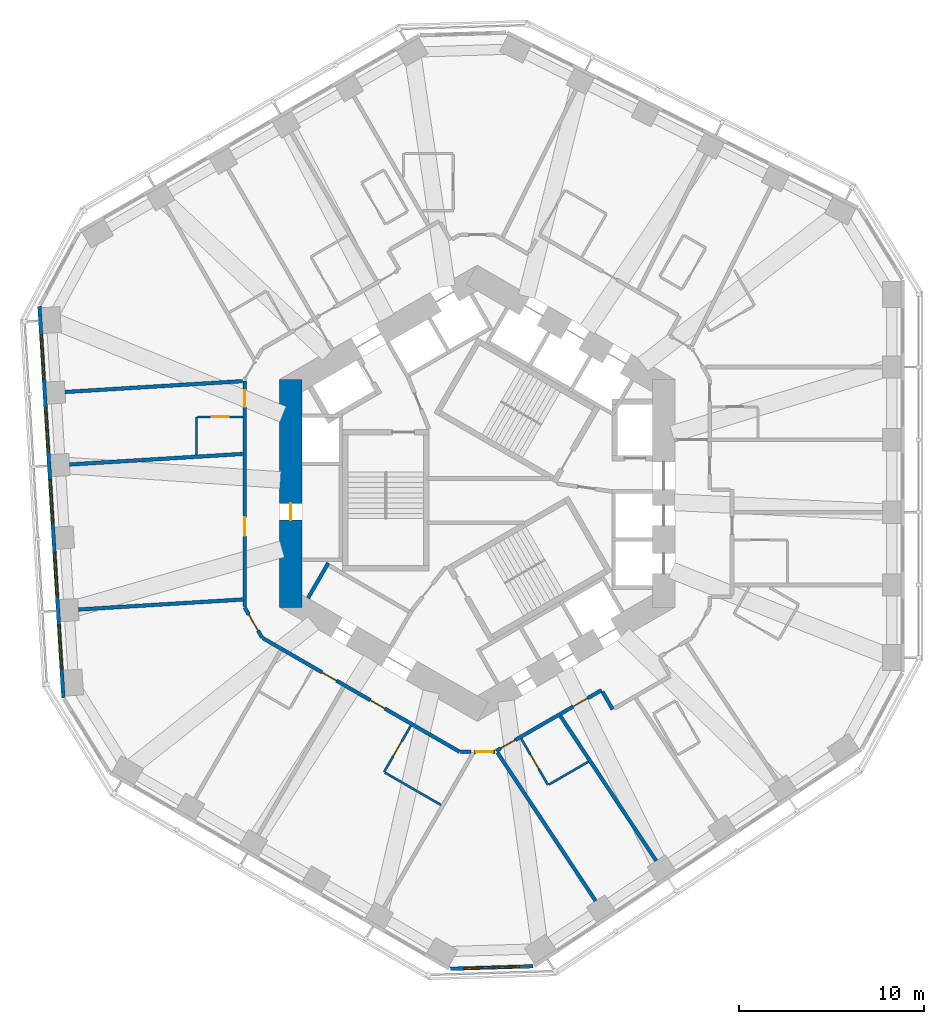
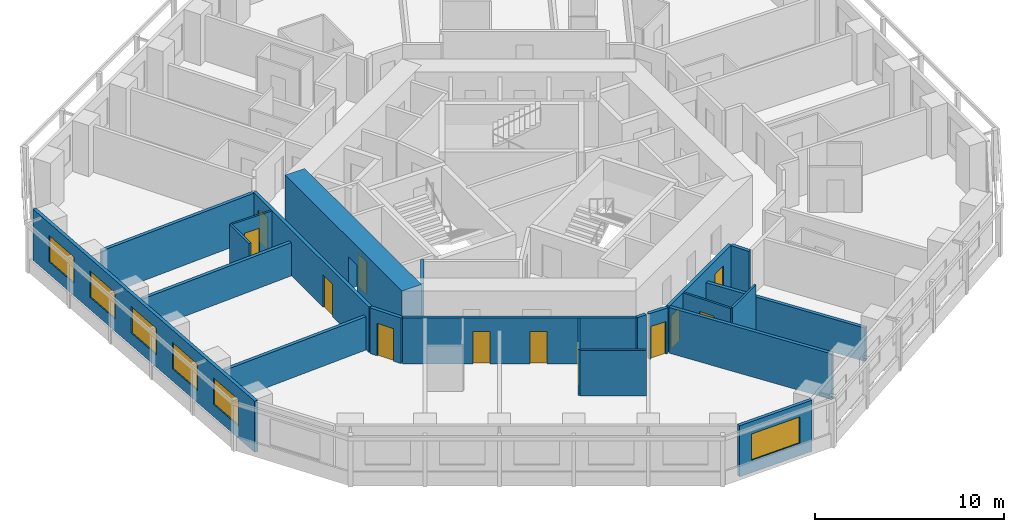
# One storey, part 4 of 12: 22 walls, 12 doors, 6 windows, 18 openings.
"""IFC4 building model written with IfcOpenShell, lengths in metres."""

from ifc_helpers import new_model, si_unit, direction, frame, frame_2d, origin, place, context, subcontext, project, spatial, rectangle, extrude, material, layer, layer_set, type_object, element, fill, save


model = new_model("IFC4")

# Units and contexts
model_context = context("Model", 3, precision=1e-05, world=origin(), true_north=direction((0.0, 1.0)))
body_context = subcontext(model_context, "Body", "Model", "MODEL_VIEW")
ifc_project = project(units=[si_unit("LENGTHUNIT", "METRE"), si_unit("AREAUNIT", "SQUARE_METRE"), si_unit("VOLUMEUNIT", "CUBIC_METRE"), si_unit("PLANEANGLEUNIT", "RADIAN"), si_unit("MASSUNIT", "GRAM", prefix="KILO")], contexts=[model_context])

# Site, building, storey
site_placement = place(None, origin())
site = spatial("IfcSite", under=ifc_project, at=site_placement, CompositionType="ELEMENT")
building_placement = place(site_placement, origin())
building = spatial("IfcBuilding", under=site, at=building_placement, Name="Vanh Sen Convention Tower", CompositionType="ELEMENT")
storey_placement = place(building_placement, frame((0.0, 0.0, 73.699951171875)))
storey = spatial("IfcBuildingStorey", under=building, at=storey_placement, Name="L16", CompositionType="ELEMENT", Elevation=73.699951171875)

# Wall
ifc_material_1 = material(Name="Moisture-resistant gypsum board on steel studs", Category="steel")
ifc_layer_1 = layer(ifc_material_1, 0.1201171875)
ifc_layer_set_1 = layer_set([ifc_layer_1], Name="Moisture-resistant gypsum board on steel studs")
wall_type_1 = type_object("IfcWallType", Name="Bathroom partition 120", PredefinedType="PARTITIONING", material=ifc_layer_set_1)
wall_1_placement = place(storey_placement, frame((-15.199951171875, 2.080322265625, 0.0), z_axis=(0.0, 0.0, 1.0), x_axis=(0.0, 1.0, 0.0)))
element("IfcWall", 1, at=wall_1_placement, inside=storey, type_object=wall_type_1, Name="Bathroom partition 120", PredefinedType="PARTITIONING", context=body_context, shape_type="SweptSolid", body=[
    extrude(rectangle(XDim=2.05908203125, YDim=0.1201171875, at=frame_2d((1.029541015625, 0.0))), origin(), (0.0, 0.0, 1.0), 2.949951171875),
])

# Wall, opening, door
wall_2_placement = place(storey_placement, frame((-15.139892578125, 4.139404296875, 0.0), z_axis=(0.0, 0.0, 1.0), x_axis=(1.0, 0.0, 0.0)))
wall_2 = element("IfcWall", 2, at=wall_2_placement, inside=storey, type_object=wall_type_1, Name="Bathroom partition 120", PredefinedType="PARTITIONING", context=body_context, shape_type="SweptSolid", body=[
    extrude(rectangle(XDim=2.43994140625, YDim=0.1201171875, at=frame_2d((1.219970703125, 0.0))), origin(), (0.0, 0.0, 1.0), 2.949951171875),
])
opening_1_placement = place(wall_2_placement, frame((0.77001953125, 0.0, 0.0)))
opening_1 = element("IfcOpeningElement", 3, at=opening_1_placement, cuts=wall_2, Name="Opening D16122", PredefinedType="OPENING", context=body_context, shape_type="SweptSolid", body=[
    extrude(rectangle(XDim=0.89990234375, YDim=2.10009765625, at=frame_2d((0.449951171875, 1.050048828125))), frame((0.0, 0.070068359375, 0.0), z_axis=(0.0, -1.0, 0.0), x_axis=(1.0, 0.0, 0.0)), (0.0, 0.0, 1.0), 0.14013671875),
])
ifc_material_2 = material(Name="Laminate door in steel frame", Category="steel")
door_type_1 = type_object("IfcDoorType", Name="En-suite door 900", OperationType="SINGLE_SWING_LEFT", PredefinedType="DOOR", material=ifc_material_2)
door_1_placement = place(opening_1_placement, origin())
door_1 = element("IfcDoor", 4, at=door_1_placement, inside=storey, type_object=door_type_1, Name="En-suite door D16122", OperationType="SINGLE_SWING_LEFT", OverallHeight=2.10009765625, OverallWidth=0.89990234375, PredefinedType="DOOR", context=body_context, shape_type="SweptSolid", body=[
    extrude(rectangle(XDim=0.89990234375, YDim=2.10009765625, at=frame_2d((0.449951171875, 1.050048828125))), frame((0.0, 0.02490234375, 0.0), z_axis=(0.0, -1.0, 0.0), x_axis=(1.0, 0.0, 0.0)), (0.0, 0.0, 1.0), 0.050048828125),
])
fill(opening_1, door_1)

wall_3_placement = place(storey_placement, frame((-5.048095703125, -15.098876953125, 0.0), z_axis=(0.0, 0.0, 1.0), x_axis=(0.499987231761, 0.866032775405, 0.0)))
wall_3 = element("IfcWall", 5, at=wall_3_placement, inside=storey, type_object=wall_type_1, Name="Bathroom partition 120", PredefinedType="PARTITIONING", context=body_context, shape_type="SweptSolid", body=[
    extrude(rectangle(XDim=2.89990234375, YDim=0.1201171875, at=frame_2d((1.449951171875, 0.0))), origin(), (0.0, 0.0, 1.0), 2.949951171875),
])
opening_2_placement = place(wall_3_placement, frame((1.0, 0.0, 0.0)))
opening_2 = element("IfcOpeningElement", 6, at=opening_2_placement, cuts=wall_3, Name="Opening D16128", PredefinedType="OPENING", context=body_context, shape_type="SweptSolid", body=[
    extrude(rectangle(XDim=0.89990234375, YDim=2.10009765625, at=frame_2d((0.449951171875, 1.050048828125))), frame((0.0, 0.070068359375, 0.0), z_axis=(0.0, -1.0, 0.0), x_axis=(1.0, 0.0, 0.0)), (0.0, 0.0, 1.0), 0.14013671875),
])
door_2_placement = place(opening_2_placement, origin())
door_2 = element("IfcDoor", 7, at=door_2_placement, inside=storey, type_object=door_type_1, Name="En-suite door D16128", OperationType="SINGLE_SWING_LEFT", OverallHeight=2.10009765625, OverallWidth=0.89990234375, PredefinedType="DOOR", context=body_context, shape_type="SweptSolid", body=[
    extrude(rectangle(XDim=0.89990234375, YDim=2.10009765625, at=frame_2d((0.449951171875, 1.050048828125))), frame((0.0, 0.02490234375, 0.0), z_axis=(0.0, -1.0, 0.0), x_axis=(1.0, 0.0, 0.0)), (0.0, 0.0, 1.0), 0.050048828125),
])
fill(opening_2, door_2)

# Wall
wall_4_placement = place(storey_placement, frame((-1.963623046875, -16.879638671875, 0.0), z_axis=(0.0, 0.0, 1.0), x_axis=(-0.866033485632, 0.499986001567, 0.0)))
element("IfcWall", 8, at=wall_4_placement, inside=storey, type_object=wall_type_1, Name="Bathroom partition 120", PredefinedType="PARTITIONING", context=body_context, shape_type="SweptSolid", body=[
    extrude(rectangle(XDim=3.50146484375, YDim=0.1201171875, at=frame_2d((1.750732421875, 0.0))), origin(), (0.0, 0.0, 1.0), 2.949951171875),
])

# Wall, opening, door
wall_5_placement = place(storey_placement, frame((3.83251953125, -15.800537109375, 0.0), z_axis=(0.0, 0.0, 1.0), x_axis=(-0.500023687443, 0.866011727401, 0.0)))
wall_5 = element("IfcWall", 9, at=wall_5_placement, inside=storey, type_object=wall_type_1, Name="Bathroom partition 120", PredefinedType="PARTITIONING", context=body_context, shape_type="SweptSolid", body=[
    extrude(rectangle(XDim=2.899658203125, YDim=0.1201171875, at=frame_2d((1.44970703125, 0.0))), origin(), (0.0, 0.0, 1.0), 2.949951171875),
])
opening_3_placement = place(wall_5_placement, frame((1.0, 0.0, 0.0)))
opening_3 = element("IfcOpeningElement", 10, at=opening_3_placement, cuts=wall_5, Name="Opening D16131", PredefinedType="OPENING", context=body_context, shape_type="SweptSolid", body=[
    extrude(rectangle(XDim=0.89990234375, YDim=2.10009765625, at=frame_2d((0.449951171875, 1.050048828125))), frame((0.0, 0.070068359375, 0.0), z_axis=(0.0, -1.0, 0.0), x_axis=(1.0, 0.0, 0.0)), (0.0, 0.0, 1.0), 0.14013671875),
])
door_3_placement = place(opening_3_placement, origin())
door_3 = element("IfcDoor", 11, at=door_3_placement, inside=storey, type_object=door_type_1, Name="En-suite door D16131", OperationType="SINGLE_SWING_LEFT", OverallHeight=2.10009765625, OverallWidth=0.89990234375, PredefinedType="DOOR", context=body_context, shape_type="SweptSolid", body=[
    extrude(rectangle(XDim=0.89990234375, YDim=2.10009765625, at=frame_2d((0.449951171875, 1.050048828125))), frame((0.0, 0.02490234375, 0.0), z_axis=(0.0, -1.0, 0.0), x_axis=(1.0, 0.0, 0.0)), (0.0, 0.0, 1.0), 0.050048828125),
])
fill(opening_3, door_3)

# Wall
wall_6_placement = place(storey_placement, frame((6.01953125, -14.537841796875, 0.0), z_axis=(0.0, 0.0, 1.0), x_axis=(-0.866022320763, -0.500005339912, 0.0)))
element("IfcWall", 12, at=wall_6_placement, inside=storey, type_object=wall_type_1, Name="Bathroom partition 120", PredefinedType="PARTITIONING", context=body_context, shape_type="SweptSolid", body=[
    extrude(rectangle(XDim=2.46533203125, YDim=0.1201171875, at=frame_2d((1.232666015625, 0.0))), origin(), (0.0, 0.0, 1.0), 2.949951171875),
])

# Wall, opening, door
ifc_material_3 = material(Name="Concrete C80/95", Category="concrete")
ifc_layer_2 = layer(ifc_material_3, 1.199951171875)
ifc_layer_set_2 = layer_set([ifc_layer_2], Name="Concrete C80/95")
wall_type_2 = type_object("IfcWallType", Name="Core outer wall 1200 C80/95", PredefinedType="SHEAR", material=ifc_layer_set_2)
wall_7_placement = place(storey_placement, frame((-10.10009765625, 6.177490234375, 0.0), z_axis=(0.0, 0.0, 1.0), x_axis=(0.0, -1.0, 0.0)))
wall_7 = element("IfcWall", 13, at=wall_7_placement, inside=storey, type_object=wall_type_2, Name="Core wall face W L16", PredefinedType="SHEAR", context=body_context, shape_type="SweptSolid", body=[
    extrude(rectangle(XDim=12.35498046875, YDim=1.199951171875, at=frame_2d((6.177490234375, 0.0))), origin(), (0.0, 0.0, 1.0), 3.300048828125),
])
opening_4_placement = place(wall_7_placement, frame((6.7275390625, 0.0, 0.0)))
opening_4 = element("IfcOpeningElement", 14, at=opening_4_placement, cuts=wall_7, Name="Opening D16010", PredefinedType="OPENING", context=body_context, shape_type="SweptSolid", body=[
    extrude(rectangle(XDim=0.89990234375, YDim=2.10009765625, at=frame_2d((0.449951171875, 1.050048828125))), frame((0.0, 0.60986328125, 0.0), z_axis=(0.0, -1.0, 0.0), x_axis=(1.0, 0.0, 0.0)), (0.0, 0.0, 1.0), 1.219970703125),
])
ifc_material_4 = material(Name="Steel S355", Category="steel")
door_type_2 = type_object("IfcDoorType", Name="Plant door 900", OperationType="SINGLE_SWING_LEFT", PredefinedType="DOOR", material=ifc_material_4)
door_4_placement = place(opening_4_placement, origin())
door_4 = element("IfcDoor", 15, at=door_4_placement, inside=storey, type_object=door_type_2, Name="Plant door D16010", OperationType="SINGLE_SWING_LEFT", OverallHeight=2.10009765625, OverallWidth=0.89990234375, PredefinedType="DOOR", context=body_context, shape_type="SweptSolid", body=[
    extrude(rectangle(XDim=0.89990234375, YDim=2.10009765625, at=frame_2d((0.449951171875, 1.050048828125))), frame((0.0, 0.02490234375, 0.0), z_axis=(0.0, -1.0, 0.0), x_axis=(1.0, 0.0, 0.0)), (0.0, 0.0, 1.0), 0.050048828125),
])
fill(opening_4, door_4)

ifc_material_5 = material(Name="Gypsum board on steel studs with mineral wool", Category="steel")
ifc_layer_3 = layer(ifc_material_5, 0.199951171875)
ifc_layer_set_3 = layer_set([ifc_layer_3], Name="Gypsum board on steel studs with mineral wool")
wall_type_3 = type_object("IfcWallType", Name="Corridor partition wall 200", PredefinedType="PARTITIONING", material=ifc_layer_set_3)
wall_8_placement = place(storey_placement, frame((-12.60009765625, -6.177490234375, 0.0), z_axis=(0.0, 0.0, 1.0), x_axis=(0.500063520245, -0.865988727248, 0.0)))
wall_8 = element("IfcWall", 16, at=wall_8_placement, inside=storey, type_object=wall_type_3, Name="Corridor partition wall 200", PredefinedType="PARTITIONING", context=body_context, shape_type="SweptSolid", body=[
    extrude(rectangle(XDim=1.900146484375, YDim=0.199951171875, at=frame_2d((0.9501953125, 0.0))), origin(), (0.0, 0.0, 1.0), 2.949951171875),
])
opening_5_placement = place(wall_8_placement, frame((0.449951171875, 0.0, 0.0)))
opening_5 = element("IfcOpeningElement", 17, at=opening_5_placement, cuts=wall_8, Name="Opening D16124", PredefinedType="OPENING", context=body_context, shape_type="SweptSolid", body=[
    extrude(rectangle(XDim=1.0, YDim=2.10009765625, at=frame_2d((0.5, 1.050048828125))), frame((0.0, 0.10986328125, 0.0), z_axis=(0.0, -1.0, 0.0), x_axis=(1.0, 0.0, 0.0)), (0.0, 0.0, 1.0), 0.219970703125),
])
ifc_material_6 = material(Name="Timber fire door in steel frame", Category="steel")
door_type_3 = type_object("IfcDoorType", Name="Floor room door 1000", OperationType="SINGLE_SWING_LEFT", PredefinedType="DOOR", material=ifc_material_6)
door_5_placement = place(opening_5_placement, origin())
door_5 = element("IfcDoor", 18, at=door_5_placement, inside=storey, type_object=door_type_3, Name="Meeting and amenity room door D16124", OperationType="SINGLE_SWING_LEFT", OverallHeight=2.10009765625, OverallWidth=1.0, PredefinedType="DOOR", context=body_context, shape_type="SweptSolid", body=[
    extrude(rectangle(XDim=1.0, YDim=2.10009765625, at=frame_2d((0.5, 1.050048828125))), frame((0.0, 0.02490234375, 0.0), z_axis=(0.0, -1.0, 0.0), x_axis=(1.0, 0.0, 0.0)), (0.0, 0.0, 1.0), 0.050048828125),
])
fill(opening_5, door_5)

# Wall, openings, doors
wall_9_placement = place(storey_placement, frame((-12.60009765625, 6.081298828125, 0.0), z_axis=(0.0, 0.0, 1.0), x_axis=(0.0, -1.0, 0.0)))
wall_9 = element("IfcWall", 19, at=wall_9_placement, inside=storey, type_object=wall_type_3, Name="Corridor partition wall 200", PredefinedType="PARTITIONING", context=body_context, shape_type="SweptSolid", body=[
    extrude(rectangle(XDim=12.218994140625, YDim=0.199951171875, at=frame_2d((6.109375, 0.0))), origin(), (0.0, 0.0, 1.0), 2.949951171875),
])
opening_6_placement = place(wall_9_placement, frame((0.495849609375, 0.0, 0.0)))
opening_6 = element("IfcOpeningElement", 20, at=opening_6_placement, cuts=wall_9, Name="Opening D16121", PredefinedType="OPENING", context=body_context, shape_type="SweptSolid", body=[
    extrude(rectangle(XDim=0.89990234375, YDim=2.10009765625, at=frame_2d((0.449951171875, 1.050048828125))), frame((0.0, 0.10986328125, 0.0), z_axis=(0.0, -1.0, 0.0), x_axis=(1.0, 0.0, 0.0)), (0.0, 0.0, 1.0), 0.219970703125),
])
opening_7_placement = place(wall_9_placement, frame((7.3837890625, 0.0, 0.0)))
opening_7 = element("IfcOpeningElement", 21, at=opening_7_placement, cuts=wall_9, Name="Opening D16123", PredefinedType="OPENING", context=body_context, shape_type="SweptSolid", body=[
    extrude(rectangle(XDim=1.0, YDim=2.10009765625, at=frame_2d((0.5, 1.050048828125))), frame((0.0, 0.10986328125, 0.0), z_axis=(0.0, -1.0, 0.0), x_axis=(1.0, 0.0, 0.0)), (0.0, 0.0, 1.0), 0.219970703125),
])
door_6_placement = place(opening_7_placement, origin())
door_6 = element("IfcDoor", 22, at=door_6_placement, inside=storey, type_object=door_type_3, Name="Meeting and amenity room door D16123", OperationType="SINGLE_SWING_LEFT", OverallHeight=2.10009765625, OverallWidth=1.0, PredefinedType="DOOR", context=body_context, shape_type="SweptSolid", body=[
    extrude(rectangle(XDim=1.0, YDim=2.10009765625, at=frame_2d((0.5, 1.050048828125))), frame((0.0, 0.02490234375, 0.0), z_axis=(0.0, -1.0, 0.0), x_axis=(1.0, 0.0, 0.0)), (0.0, 0.0, 1.0), 0.050048828125),
])
fill(opening_7, door_6)
door_type_4 = type_object("IfcDoorType", Name="Guest room door 900", OperationType="SINGLE_SWING_LEFT", PredefinedType="DOOR", material=ifc_material_6)
door_7_placement = place(opening_6_placement, origin())
door_7 = element("IfcDoor", 23, at=door_7_placement, inside=storey, type_object=door_type_4, Name="Hotel guest room door D16121", OperationType="SINGLE_SWING_LEFT", OverallHeight=2.10009765625, OverallWidth=0.89990234375, PredefinedType="DOOR", context=body_context, shape_type="SweptSolid", body=[
    extrude(rectangle(XDim=0.89990234375, YDim=2.10009765625, at=frame_2d((0.449951171875, 1.050048828125))), frame((0.0, 0.02490234375, 0.0), z_axis=(0.0, -1.0, 0.0), x_axis=(1.0, 0.0, 0.0)), (0.0, 0.0, 1.0), 0.050048828125),
])
fill(opening_6, door_7)

wall_10_placement = place(storey_placement, frame((-11.615478515625, -7.843017578125, 0.0), z_axis=(0.0, 0.0, 1.0), x_axis=(0.866026466995, -0.499998158461, 0.0)))
wall_10 = element("IfcWall", 24, at=wall_10_placement, inside=storey, type_object=wall_type_3, Name="Corridor partition wall 200", PredefinedType="PARTITIONING", context=body_context, shape_type="SweptSolid", body=[
    extrude(rectangle(XDim=12.3154296875, YDim=0.199951171875, at=frame_2d((6.15771484375, 0.0))), origin(), (0.0, 0.0, 1.0), 2.949951171875),
])
opening_8_placement = place(wall_10_placement, frame((3.71533203125, 0.0, 0.0)))
opening_8 = element("IfcOpeningElement", 25, at=opening_8_placement, cuts=wall_10, Name="Opening D16125", PredefinedType="OPENING", context=body_context, shape_type="SweptSolid", body=[
    extrude(rectangle(XDim=0.89990234375, YDim=2.10009765625, at=frame_2d((0.449951171875, 1.050048828125))), frame((0.0, 0.10986328125, 0.0), z_axis=(0.0, -1.0, 0.0), x_axis=(1.0, 0.0, 0.0)), (0.0, 0.0, 1.0), 0.219970703125),
])
opening_9_placement = place(wall_10_placement, frame((6.736572265625, 0.0, 0.0)))
opening_9 = element("IfcOpeningElement", 26, at=opening_9_placement, cuts=wall_10, Name="Opening D16127", PredefinedType="OPENING", context=body_context, shape_type="SweptSolid", body=[
    extrude(rectangle(XDim=0.89990234375, YDim=2.10009765625, at=frame_2d((0.449951171875, 1.050048828125))), frame((0.0, 0.10986328125, 0.0), z_axis=(0.0, -1.0, 0.0), x_axis=(1.0, 0.0, 0.0)), (0.0, 0.0, 1.0), 0.219970703125),
])
door_8_placement = place(opening_8_placement, origin())
door_8 = element("IfcDoor", 27, at=door_8_placement, inside=storey, type_object=door_type_4, Name="Hotel guest room door D16125", OperationType="SINGLE_SWING_LEFT", OverallHeight=2.10009765625, OverallWidth=0.89990234375, PredefinedType="DOOR", context=body_context, shape_type="SweptSolid", body=[
    extrude(rectangle(XDim=0.89990234375, YDim=2.10009765625, at=frame_2d((0.449951171875, 1.050048828125))), frame((0.0, 0.02490234375, 0.0), z_axis=(0.0, -1.0, 0.0), x_axis=(1.0, 0.0, 0.0)), (0.0, 0.0, 1.0), 0.050048828125),
])
fill(opening_8, door_8)
door_9_placement = place(opening_9_placement, origin())
door_9 = element("IfcDoor", 28, at=door_9_placement, inside=storey, type_object=door_type_4, Name="Hotel guest room door D16127", OperationType="SINGLE_SWING_LEFT", OverallHeight=2.10009765625, OverallWidth=0.89990234375, PredefinedType="DOOR", context=body_context, shape_type="SweptSolid", body=[
    extrude(rectangle(XDim=0.89990234375, YDim=2.10009765625, at=frame_2d((0.449951171875, 1.050048828125))), frame((0.0, 0.02490234375, 0.0), z_axis=(0.0, -1.0, 0.0), x_axis=(1.0, 0.0, 0.0)), (0.0, 0.0, 1.0), 0.050048828125),
])
fill(opening_9, door_9)

# Wall
wall_11_placement = place(storey_placement, frame((-0.909912109375, -14.000732421875, 0.0), z_axis=(0.0, 0.0, 1.0), x_axis=(1.0, 0.0, 0.0)))
element("IfcWall", 29, at=wall_11_placement, inside=storey, type_object=wall_type_3, Name="Corridor partition wall 200", PredefinedType="PARTITIONING", context=body_context, shape_type="SweptSolid", body=[
    extrude(rectangle(XDim=0.559814453125, YDim=0.199951171875, at=frame_2d((0.27978515625, 0.0))), origin(), (0.0, 0.0, 1.0), 2.949951171875),
])

# Wall, opening, door
wall_12_placement = place(storey_placement, frame((-0.186279296875, -14.000732421875, 0.0), z_axis=(0.0, 0.0, 1.0), x_axis=(1.0, 0.0, 0.0)))
wall_12 = element("IfcWall", 30, at=wall_12_placement, inside=storey, type_object=wall_type_3, Name="Corridor partition wall 200", PredefinedType="PARTITIONING", context=body_context, shape_type="SweptSolid", body=[
    extrude(rectangle(XDim=1.13623046875, YDim=0.199951171875, at=frame_2d((0.568115234375, 0.0))), origin(), (0.0, 0.0, 1.0), 2.949951171875),
])
opening_10_placement = place(wall_12_placement, frame((0.1181640625, 0.0, 0.0)))
opening_10 = element("IfcOpeningElement", 31, at=opening_10_placement, cuts=wall_12, Name="Opening D16129", PredefinedType="OPENING", context=body_context, shape_type="SweptSolid", body=[
    extrude(rectangle(XDim=0.89990234375, YDim=2.10009765625, at=frame_2d((0.449951171875, 1.050048828125))), frame((0.0, 0.10986328125, 0.0), z_axis=(0.0, -1.0, 0.0), x_axis=(1.0, 0.0, 0.0)), (0.0, 0.0, 1.0), 0.219970703125),
])
door_type_5 = type_object("IfcDoorType", Name="Floor room door 900", OperationType="SINGLE_SWING_LEFT", PredefinedType="DOOR", material=ifc_material_6)
door_10_placement = place(opening_10_placement, origin())
door_10 = element("IfcDoor", 32, at=door_10_placement, inside=storey, type_object=door_type_5, Name="Meeting and amenity room door D16129", OperationType="SINGLE_SWING_LEFT", OverallHeight=2.10009765625, OverallWidth=0.89990234375, PredefinedType="DOOR", context=body_context, shape_type="SweptSolid", body=[
    extrude(rectangle(XDim=0.89990234375, YDim=2.10009765625, at=frame_2d((0.449951171875, 1.050048828125))), frame((0.0, 0.02490234375, 0.0), z_axis=(0.0, -1.0, 0.0), x_axis=(1.0, 0.0, 0.0)), (0.0, 0.0, 1.0), 0.050048828125),
])
fill(opening_10, door_10)

# Wall, openings, doors
wall_13_placement = place(storey_placement, frame((1.033447265625, -13.95263671875, 0.0), z_axis=(0.0, 0.0, 1.0), x_axis=(0.866017531406, 0.500013635111, 0.0)))
wall_13 = element("IfcWall", 33, at=wall_13_placement, inside=storey, type_object=wall_type_3, Name="Corridor partition wall 200", PredefinedType="PARTITIONING", context=body_context, shape_type="SweptSolid", body=[
    extrude(rectangle(XDim=6.580322265625, YDim=0.199951171875, at=frame_2d((3.2900390625, 0.0))), origin(), (0.0, 0.0, 1.0), 2.949951171875),
])
opening_11_placement = place(wall_13_placement, frame((0.27490234375, 0.0, 0.0)))
opening_11 = element("IfcOpeningElement", 34, at=opening_11_placement, cuts=wall_13, Name="Opening D16130", PredefinedType="OPENING", context=body_context, shape_type="SweptSolid", body=[
    extrude(rectangle(XDim=0.89990234375, YDim=2.10009765625, at=frame_2d((0.449951171875, 1.050048828125))), frame((0.0, 0.10986328125, 0.0), z_axis=(0.0, -1.0, 0.0), x_axis=(1.0, 0.0, 0.0)), (0.0, 0.0, 1.0), 0.219970703125),
])
opening_12_placement = place(wall_13_placement, frame((4.81103515625, 0.0, 0.0)))
opening_12 = element("IfcOpeningElement", 35, at=opening_12_placement, cuts=wall_13, Name="Opening D16132", PredefinedType="OPENING", context=body_context, shape_type="SweptSolid", body=[
    extrude(rectangle(XDim=0.89990234375, YDim=2.10009765625, at=frame_2d((0.449951171875, 1.050048828125))), frame((0.0, 0.10986328125, 0.0), z_axis=(0.0, -1.0, 0.0), x_axis=(1.0, 0.0, 0.0)), (0.0, 0.0, 1.0), 0.219970703125),
])
door_type_6 = type_object("IfcDoorType", Name="Floor service door 900", OperationType="SINGLE_SWING_LEFT", PredefinedType="DOOR", material=ifc_material_6)
door_11_placement = place(opening_12_placement, origin())
door_11 = element("IfcDoor", 36, at=door_11_placement, inside=storey, type_object=door_type_6, Name="Service room door D16132", OperationType="SINGLE_SWING_LEFT", OverallHeight=2.10009765625, OverallWidth=0.89990234375, PredefinedType="DOOR", context=body_context, shape_type="SweptSolid", body=[
    extrude(rectangle(XDim=0.89990234375, YDim=2.10009765625, at=frame_2d((0.449951171875, 1.050048828125))), frame((0.0, 0.02490234375, 0.0), z_axis=(0.0, -1.0, 0.0), x_axis=(1.0, 0.0, 0.0)), (0.0, 0.0, 1.0), 0.050048828125),
])
fill(opening_12, door_11)
door_12_placement = place(opening_11_placement, origin())
door_12 = element("IfcDoor", 37, at=door_12_placement, inside=storey, type_object=door_type_4, Name="Hotel guest room door D16130", OperationType="SINGLE_SWING_LEFT", OverallHeight=2.10009765625, OverallWidth=0.89990234375, PredefinedType="DOOR", context=body_context, shape_type="SweptSolid", body=[
    extrude(rectangle(XDim=0.89990234375, YDim=2.10009765625, at=frame_2d((0.449951171875, 1.050048828125))), frame((0.0, 0.02490234375, 0.0), z_axis=(0.0, -1.0, 0.0), x_axis=(1.0, 0.0, 0.0)), (0.0, 0.0, 1.0), 0.050048828125),
])
fill(opening_11, door_12)

# Wall
wall_14_placement = place(storey_placement, frame((6.781982421875, -10.7490234375, 0.0), z_axis=(0.0, 0.0, 1.0), x_axis=(0.500074377092, -0.865982457891, 0.0)))
element("IfcWall", 38, at=wall_14_placement, inside=storey, type_object=wall_type_3, Name="Corridor partition wall 200", PredefinedType="PARTITIONING", context=body_context, shape_type="SweptSolid", body=[
    extrude(rectangle(XDim=1.100830078125, YDim=0.199951171875, at=frame_2d((0.55029296875, 0.0))), origin(), (0.0, 0.0, 1.0), 2.949951171875),
])

# Wall, openings, windows
ifc_material_7 = material(Name="Insulated lightweight infill wall")
ifc_layer_4 = layer(ifc_material_7, 0.199951171875)
ifc_layer_set_4 = layer_set([ifc_layer_4], Name="Insulated lightweight infill wall")
wall_type_4 = type_object("IfcWallType", Name="External wall 200", PredefinedType="STANDARD", material=ifc_layer_set_4)
wall_15_placement = place(storey_placement, frame((-23.712646484375, 10.130859375, 0.0), z_axis=(0.0, 0.0, 1.0), x_axis=(0.061040439785, -0.998135293791, 0.0)))
wall_15 = element("IfcWall", 39, at=wall_15_placement, inside=storey, type_object=wall_type_4, Name="External wall W L16", PredefinedType="STANDARD", context=body_context, shape_type="SweptSolid", body=[
    extrude(rectangle(XDim=21.24609375, YDim=0.199951171875, at=frame_2d((10.623046875, 0.0))), origin(), (0.0, 0.0, 1.0), 3.300048828125),
])
opening_13_placement = place(wall_15_placement, frame((1.552978515625, 0.0, 0.800048828125)))
opening_13 = element("IfcOpeningElement", 40, at=opening_13_placement, cuts=wall_15, Name="Opening WH1-W1", PredefinedType="OPENING", context=body_context, shape_type="SweptSolid", body=[
    extrude(rectangle(XDim=2.39990234375, YDim=1.699951171875, at=frame_2d((1.199951171875, 0.85009765625))), frame((0.0, 0.10986328125, 0.0), z_axis=(0.0, -1.0, 0.0), x_axis=(1.0, 0.0, 0.0)), (0.0, 0.0, 1.0), 0.219970703125),
])
opening_14_placement = place(wall_15_placement, frame((5.48779296875, 0.0, 0.800048828125)))
opening_14 = element("IfcOpeningElement", 41, at=opening_14_placement, cuts=wall_15, Name="Opening WH1-W2", PredefinedType="OPENING", context=body_context, shape_type="SweptSolid", body=[
    extrude(rectangle(XDim=2.39990234375, YDim=1.699951171875, at=frame_2d((1.199951171875, 0.85009765625))), frame((0.0, 0.10986328125, 0.0), z_axis=(0.0, -1.0, 0.0), x_axis=(1.0, 0.0, 0.0)), (0.0, 0.0, 1.0), 0.219970703125),
])
opening_15_placement = place(wall_15_placement, frame((9.42236328125, 0.0, 0.800048828125)))
opening_15 = element("IfcOpeningElement", 42, at=opening_15_placement, cuts=wall_15, Name="Opening WH1-W3", PredefinedType="OPENING", context=body_context, shape_type="SweptSolid", body=[
    extrude(rectangle(XDim=2.39990234375, YDim=1.699951171875, at=frame_2d((1.199951171875, 0.85009765625))), frame((0.0, 0.10986328125, 0.0), z_axis=(0.0, -1.0, 0.0), x_axis=(1.0, 0.0, 0.0)), (0.0, 0.0, 1.0), 0.219970703125),
])
opening_16_placement = place(wall_15_placement, frame((13.35693359375, 0.0, 0.800048828125)))
opening_16 = element("IfcOpeningElement", 43, at=opening_16_placement, cuts=wall_15, Name="Opening WH1-W4", PredefinedType="OPENING", context=body_context, shape_type="SweptSolid", body=[
    extrude(rectangle(XDim=2.39990234375, YDim=1.699951171875, at=frame_2d((1.199951171875, 0.85009765625))), frame((0.0, 0.10986328125, 0.0), z_axis=(0.0, -1.0, 0.0), x_axis=(1.0, 0.0, 0.0)), (0.0, 0.0, 1.0), 0.219970703125),
])
opening_17_placement = place(wall_15_placement, frame((17.29150390625, 0.0, 0.800048828125)))
opening_17 = element("IfcOpeningElement", 44, at=opening_17_placement, cuts=wall_15, Name="Opening WH1-W5", PredefinedType="OPENING", context=body_context, shape_type="SweptSolid", body=[
    extrude(rectangle(XDim=2.39990234375, YDim=1.699951171875, at=frame_2d((1.199951171875, 0.85009765625))), frame((0.0, 0.10986328125, 0.0), z_axis=(0.0, -1.0, 0.0), x_axis=(1.0, 0.0, 0.0)), (0.0, 0.0, 1.0), 0.219970703125),
])
ifc_material_8 = material(Name="Aluminium frame with clear low-emissivity glass", Category="aluminium")
window_type_1 = type_object("IfcWindowType", Name="Hotel window 2400 x 1700", PartitioningType="SINGLE_PANEL", PredefinedType="WINDOW", material=ifc_material_8)
window_1_placement = place(opening_13_placement, origin())
window_1 = element("IfcWindow", 45, at=window_1_placement, inside=storey, type_object=window_type_1, Name="Window WH1-W1", OverallHeight=1.699951171875, OverallWidth=2.39990234375, PartitioningType="SINGLE_PANEL", PredefinedType="WINDOW", context=body_context, shape_type="SweptSolid", body=[
    extrude(rectangle(XDim=2.39990234375, YDim=1.699951171875, at=frame_2d((1.199951171875, 0.85009765625))), frame((0.0, 0.030029296875, 0.0), z_axis=(0.0, -1.0, 0.0), x_axis=(1.0, 0.0, 0.0)), (0.0, 0.0, 1.0), 0.06005859375),
])
fill(opening_13, window_1)
window_2_placement = place(opening_14_placement, origin())
window_2 = element("IfcWindow", 46, at=window_2_placement, inside=storey, type_object=window_type_1, Name="Window WH1-W2", OverallHeight=1.699951171875, OverallWidth=2.39990234375, PartitioningType="SINGLE_PANEL", PredefinedType="WINDOW", context=body_context, shape_type="SweptSolid", body=[
    extrude(rectangle(XDim=2.39990234375, YDim=1.699951171875, at=frame_2d((1.199951171875, 0.85009765625))), frame((0.0, 0.030029296875, 0.0), z_axis=(0.0, -1.0, 0.0), x_axis=(1.0, 0.0, 0.0)), (0.0, 0.0, 1.0), 0.06005859375),
])
fill(opening_14, window_2)
window_3_placement = place(opening_15_placement, origin())
window_3 = element("IfcWindow", 47, at=window_3_placement, inside=storey, type_object=window_type_1, Name="Window WH1-W3", OverallHeight=1.699951171875, OverallWidth=2.39990234375, PartitioningType="SINGLE_PANEL", PredefinedType="WINDOW", context=body_context, shape_type="SweptSolid", body=[
    extrude(rectangle(XDim=2.39990234375, YDim=1.699951171875, at=frame_2d((1.199951171875, 0.85009765625))), frame((0.0, 0.030029296875, 0.0), z_axis=(0.0, -1.0, 0.0), x_axis=(1.0, 0.0, 0.0)), (0.0, 0.0, 1.0), 0.06005859375),
])
fill(opening_15, window_3)
window_4_placement = place(opening_16_placement, origin())
window_4 = element("IfcWindow", 48, at=window_4_placement, inside=storey, type_object=window_type_1, Name="Window WH1-W4", OverallHeight=1.699951171875, OverallWidth=2.39990234375, PartitioningType="SINGLE_PANEL", PredefinedType="WINDOW", context=body_context, shape_type="SweptSolid", body=[
    extrude(rectangle(XDim=2.39990234375, YDim=1.699951171875, at=frame_2d((1.199951171875, 0.85009765625))), frame((0.0, 0.030029296875, 0.0), z_axis=(0.0, -1.0, 0.0), x_axis=(1.0, 0.0, 0.0)), (0.0, 0.0, 1.0), 0.06005859375),
])
fill(opening_16, window_4)
window_5_placement = place(opening_17_placement, origin())
window_5 = element("IfcWindow", 49, at=window_5_placement, inside=storey, type_object=window_type_1, Name="Window WH1-W5", OverallHeight=1.699951171875, OverallWidth=2.39990234375, PartitioningType="SINGLE_PANEL", PredefinedType="WINDOW", context=body_context, shape_type="SweptSolid", body=[
    extrude(rectangle(XDim=2.39990234375, YDim=1.699951171875, at=frame_2d((1.199951171875, 0.85009765625))), frame((0.0, 0.030029296875, 0.0), z_axis=(0.0, -1.0, 0.0), x_axis=(1.0, 0.0, 0.0)), (0.0, 0.0, 1.0), 0.06005859375),
])
fill(opening_17, window_5)

# Wall, opening, window
wall_16_placement = place(storey_placement, frame((-1.461181640625, -25.7548828125, 0.0), z_axis=(0.0, 0.0, 1.0), x_axis=(0.999533823446, 0.030530898895, 0.0)))
wall_16 = element("IfcWall", 50, at=wall_16_placement, inside=storey, type_object=wall_type_4, Name="External wall CH5 L16", PredefinedType="STANDARD", context=body_context, shape_type="SweptSolid", body=[
    extrude(rectangle(XDim=4.494140625, YDim=0.199951171875, at=frame_2d((2.2470703125, 0.0))), origin(), (0.0, 0.0, 1.0), 3.300048828125),
])
opening_18_placement = place(wall_16_placement, frame((0.7470703125, 0.0, 0.800048828125)))
opening_18 = element("IfcOpeningElement", 51, at=opening_18_placement, cuts=wall_16, Name="Opening WH2-CH51", PredefinedType="OPENING", context=body_context, shape_type="SweptSolid", body=[
    extrude(rectangle(XDim=3.0, YDim=1.699951171875, at=frame_2d((1.5, 0.85009765625))), frame((0.0, 0.10986328125, 0.0), z_axis=(0.0, -1.0, 0.0), x_axis=(1.0, 0.0, 0.0)), (0.0, 0.0, 1.0), 0.219970703125),
])
window_type_2 = type_object("IfcWindowType", Name="Hotel window 3000 x 1700", PartitioningType="SINGLE_PANEL", PredefinedType="WINDOW", material=ifc_material_8)
window_6_placement = place(opening_18_placement, origin())
window_6 = element("IfcWindow", 52, at=window_6_placement, inside=storey, type_object=window_type_2, Name="Window WH2-CH51", OverallHeight=1.699951171875, OverallWidth=3.0, PartitioningType="SINGLE_PANEL", PredefinedType="WINDOW", context=body_context, shape_type="SweptSolid", body=[
    extrude(rectangle(XDim=3.0, YDim=1.699951171875, at=frame_2d((1.5, 0.85009765625))), frame((0.0, 0.030029296875, 0.0), z_axis=(0.0, -1.0, 0.0), x_axis=(1.0, 0.0, 0.0)), (0.0, 0.0, 1.0), 0.06005859375),
])
fill(opening_18, window_6)

# Walls
ifc_layer_5 = layer(ifc_material_5, 0.199951171875)
ifc_layer_set_5 = layer_set([ifc_layer_5], Name="Gypsum board on steel studs with mineral wool")
wall_type_5 = type_object("IfcWallType", Name="Hotel party wall 200", PredefinedType="PARTITIONING", material=ifc_layer_set_5)
wall_17_placement = place(storey_placement, frame((-22.32666015625, 5.486328125, 0.0), z_axis=(0.0, 0.0, 1.0), x_axis=(0.998135194863, 0.061042057435, 0.0)))
element("IfcWall", 53, at=wall_17_placement, inside=storey, type_object=wall_type_5, Name="Hotel party wall 200", PredefinedType="PARTITIONING", context=body_context, shape_type="SweptSolid", body=[
    extrude(rectangle(XDim=9.635009765625, YDim=0.199951171875, at=frame_2d((4.8173828125, 0.0))), origin(), (0.0, 0.0, 1.0), 2.949951171875),
])
wall_18_placement = place(storey_placement, frame((-22.08642578125, 1.55908203125, 0.0), z_axis=(0.0, 0.0, 1.0), x_axis=(0.99813491363, 0.061046655873, 0.0)))
element("IfcWall", 54, at=wall_18_placement, inside=storey, type_object=wall_type_5, Name="Hotel party wall 200", PredefinedType="PARTITIONING", context=body_context, shape_type="SweptSolid", body=[
    extrude(rectangle(XDim=9.394287109375, YDim=0.199951171875, at=frame_2d((4.697265625, 0.0))), origin(), (0.0, 0.0, 1.0), 2.150146484375),
])
wall_19_placement = place(storey_placement, frame((-21.60595703125, -6.29541015625, 0.0), z_axis=(0.0, 0.0, 1.0), x_axis=(0.998134305525, 0.061056597794, 0.0)))
element("IfcWall", 55, at=wall_19_placement, inside=storey, type_object=wall_type_5, Name="Hotel party wall 200", PredefinedType="PARTITIONING", context=body_context, shape_type="SweptSolid", body=[
    extrude(rectangle(XDim=8.912841796875, YDim=0.199951171875, at=frame_2d((4.45654296875, 0.0))), origin(), (0.0, 0.0, 1.0), 2.150146484375),
])
wall_20_placement = place(storey_placement, frame((6.411865234375, -22.07861328125, 0.0), z_axis=(0.0, 0.0, 1.0), x_axis=(-0.551919507115, 0.83389739037, 0.0)))
element("IfcWall", 56, at=wall_20_placement, inside=storey, type_object=wall_type_5, Name="Hotel party wall 200", PredefinedType="PARTITIONING", context=body_context, shape_type="SweptSolid", body=[
    extrude(rectangle(XDim=9.634765625, YDim=0.199951171875, at=frame_2d((4.8173828125, 0.0))), origin(), (0.0, 0.0, 1.0), 2.949951171875),
])
wall_21_placement = place(storey_placement, frame((9.69287109375, -19.906982421875, 0.0), z_axis=(0.0, 0.0, 1.0), x_axis=(-0.551938394837, 0.833884889121, 0.0)))
element("IfcWall", 57, at=wall_21_placement, inside=storey, type_object=wall_type_5, Name="Hotel party wall 200", PredefinedType="PARTITIONING", context=body_context, shape_type="SweptSolid", body=[
    extrude(rectangle(XDim=9.394287109375, YDim=0.199951171875, at=frame_2d((4.697265625, 0.0))), origin(), (0.0, 0.0, 1.0), 2.150146484375),
])
ifc_material_9 = material(Name="Concrete C40/50", Category="concrete")
ifc_layer_6 = layer(ifc_material_9, 0.199951171875)
ifc_layer_set_6 = layer_set([ifc_layer_6], Name="Concrete C40/50")
wall_type_6 = type_object("IfcWallType", Name="Lift shaft wall 200", PredefinedType="PARTITIONING", material=ifc_layer_set_6)
wall_22_placement = place(storey_placement, frame((-8.066650390625, -3.77197265625, 0.0), z_axis=(0.0, 0.0, 1.0), x_axis=(-0.50002983664, -0.866008176907, 0.0)))
element("IfcWall", 58, at=wall_22_placement, inside=storey, type_object=wall_type_6, Name="Lift shaft wall L16", PredefinedType="PARTITIONING", context=body_context, shape_type="SweptSolid", body=[
    extrude(rectangle(XDim=2.199951171875, YDim=0.199951171875, at=frame_2d((1.10009765625, 0.0))), origin(), (0.0, 0.0, 1.0), 2.949951171875),
])

save(model, "model.ifc")
